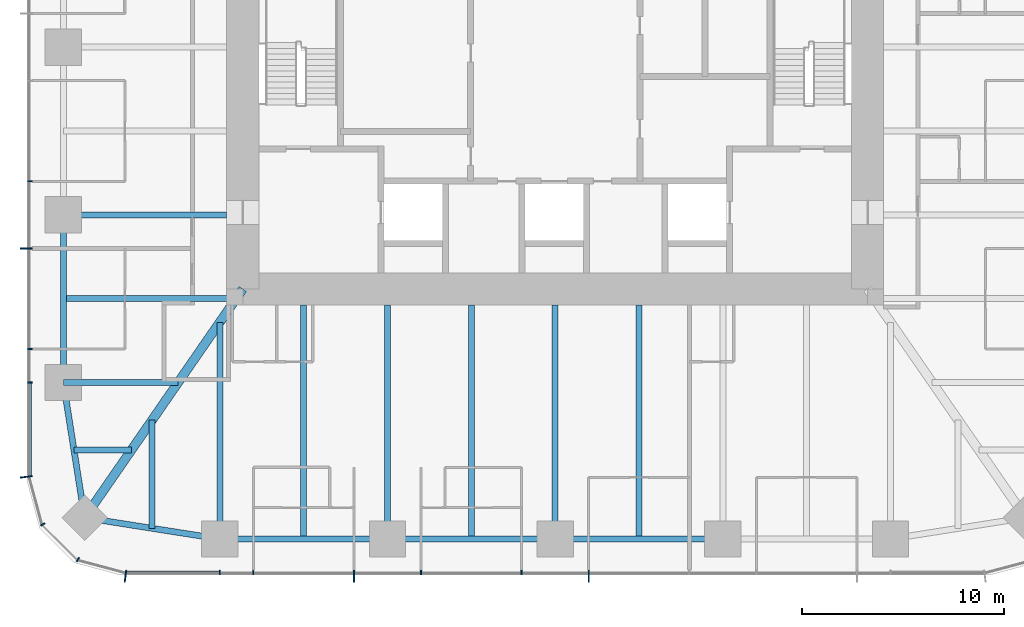
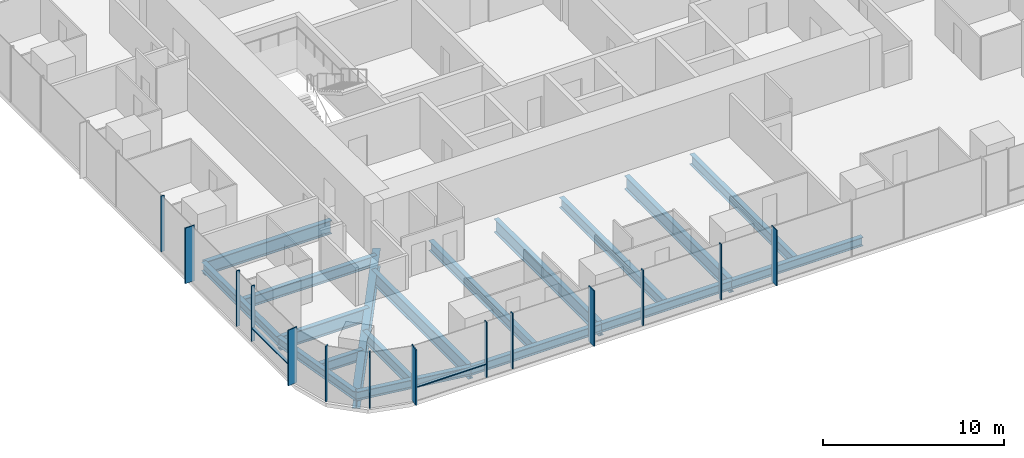
# One storey, part 2 of 12: 18 beams, 16 members, 3 elements without a shape of their own.
"""IFC4 building model written with IfcOpenShell, lengths in metres."""

from ifc_helpers import new_model, si_unit, direction, frame, origin, origin_2d, place, context, subcontext, project, spatial, rectangle, i_section, extrude, material, material_profile, profile_set, type_object, element, aggregate, save


model = new_model("IFC4")

# Units and contexts
model_context = context("Model", 3, precision=1e-05, world=origin(), true_north=direction((0.0, 1.0)))
body_context = subcontext(model_context, "Body", "Model", "MODEL_VIEW")
ifc_project = project(units=[si_unit("LENGTHUNIT", "METRE"), si_unit("AREAUNIT", "SQUARE_METRE"), si_unit("VOLUMEUNIT", "CUBIC_METRE"), si_unit("PLANEANGLEUNIT", "RADIAN"), si_unit("MASSUNIT", "GRAM", prefix="KILO")], contexts=[model_context])

# Site, building, storey
site_placement = place(None, origin())
site = spatial("IfcSite", under=ifc_project, at=site_placement, CompositionType="ELEMENT")
building_placement = place(site_placement, origin())
building = spatial("IfcBuilding", under=site, at=building_placement, Name="Khuree Lantern Residences", CompositionType="ELEMENT")
storey_placement = place(building_placement, frame((0.0, 0.0, 229.5)))
storey = spatial("IfcBuildingStorey", under=building, at=storey_placement, Name="L57", CompositionType="ELEMENT", Elevation=229.5)

# Beams
ifc_material_1 = material(Name="Steel S355", Category="steel")
ifc_material_profile_1 = material_profile(ifc_material_1, i_section(OverallWidth=0.300048828125, OverallDepth=0.68994140625, WebThickness=0.014404296875, FlangeThickness=0.027099609375, FilletRadius=0.027099609375, at=origin_2d()), Name="HE 700 A")
ifc_profile_set_1 = profile_set([ifc_material_profile_1], Name="Steel S355")
beam_type_1 = type_object("IfcBeamType", Name="B-33 SECONDARY BEAM HE 700 A", PredefinedType="BEAM", material=ifc_profile_set_1)
for number, where, z_axis, x_axis, name in (
    (1, (4.159912109375, -24.39990234375, -0.594970703125), (0.0, 1.0, 0.0), (-1.0, 0.0, 0.0), "Secondary beam S3"),
    (2, (-4.159912109375, -24.39990234375, -0.594970703125), (0.0, 1.0, 0.0), (-1.0, 0.0, 0.0), "Secondary beam S4"),
    (3, (-12.47998046875, -24.39990234375, -0.594970703125), (0.0, 1.0, 0.0), (-1.0, 0.0, 0.0), "Secondary beam S5"),
):
    element("IfcBeam", number, at=place(storey_placement, frame(where, z_axis=z_axis, x_axis=x_axis)), inside=storey, type_object=beam_type_1, Name=name, PredefinedType="BEAM", context=body_context, shape_type="SweptSolid", body=[
        extrude(i_section(OverallWidth=0.300048828125, OverallDepth=0.68994140625, WebThickness=0.014404296875, FlangeThickness=0.027099609375, FilletRadius=0.027099609375, at=origin_2d()), origin(), (0.0, 0.0, 1.0), 11.599853515625),
    ])
beam_1_placement = place(storey_placement, frame((-19.992919921875, -23.872802734375, -0.594970703125), z_axis=(0.0, 1.0, 0.0), x_axis=(-1.0, 0.0, 0.0)))
element("IfcBeam", 4, at=beam_1_placement, inside=storey, type_object=beam_type_1, Name="Secondary beam S6", PredefinedType="BEAM", context=body_context, shape_type="SweptSolid", body=[
    extrude(i_section(OverallWidth=0.300048828125, OverallDepth=0.68994140625, WebThickness=0.014404296875, FlangeThickness=0.027099609375, FilletRadius=0.027099609375, at=origin_2d()), origin(), (0.0, 0.0, 1.0), 5.375732421875),
])
beam_2_placement = place(storey_placement, frame((-23.872802734375, -19.992919921875, -0.594970703125), z_axis=(1.0, 0.0, 0.0), x_axis=(0.0, 1.0, 0.0)))
element("IfcBeam", 5, at=beam_2_placement, inside=storey, type_object=beam_type_1, Name="Secondary beam W1", PredefinedType="BEAM", context=body_context, shape_type="SweptSolid", body=[
    extrude(i_section(OverallWidth=0.300048828125, OverallDepth=0.68994140625, WebThickness=0.014404296875, FlangeThickness=0.027099609375, FilletRadius=0.027099609375, at=origin_2d()), origin(), (0.0, 0.0, 1.0), 2.845703125),
])
beam_3_placement = place(storey_placement, frame((-24.39990234375, -12.47998046875, -0.594970703125), z_axis=(1.0, 0.0, 0.0), x_axis=(0.0, 1.0, 0.0)))
element("IfcBeam", 6, at=beam_3_placement, inside=storey, type_object=beam_type_1, Name="Secondary beam W2", PredefinedType="BEAM", context=body_context, shape_type="SweptSolid", body=[
    extrude(i_section(OverallWidth=0.300048828125, OverallDepth=0.68994140625, WebThickness=0.014404296875, FlangeThickness=0.027099609375, FilletRadius=0.027099609375, at=origin_2d()), origin(), (0.0, 0.0, 1.0), 8.56787109375),
])
ifc_material_profile_2 = material_profile(ifc_material_1, i_section(OverallWidth=0.300048828125, OverallDepth=0.590087890625, WebThickness=0.012939453125, FlangeThickness=0.02490234375, FilletRadius=0.027099609375, at=origin_2d()), Name="HE 600 A")
ifc_profile_set_2 = profile_set([ifc_material_profile_2], Name="Steel S355")
beam_type_2 = type_object("IfcBeamType", Name="E-33 SPANDREL BEAM HE 600 A", PredefinedType="SPANDREL", material=ifc_profile_set_2)
for number, where, z_axis, x_axis, name in (
    (7, (8.320068359375, -24.39990234375, -0.544921875), (-1.0, 0.0, 0.0), (0.0, -1.0, 0.0), "Spandrel beam S3"),
    (8, (0.0, -24.39990234375, -0.544921875), (-1.0, 0.0, 0.0), (0.0, -1.0, 0.0), "Spandrel beam S4"),
):
    element("IfcBeam", number, at=place(storey_placement, frame(where, z_axis=z_axis, x_axis=x_axis)), inside=storey, type_object=beam_type_2, Name=name, PredefinedType="SPANDREL", context=body_context, shape_type="SweptSolid", body=[
        extrude(i_section(OverallWidth=0.300048828125, OverallDepth=0.590087890625, WebThickness=0.012939453125, FlangeThickness=0.02490234375, FilletRadius=0.027099609375, at=origin_2d()), origin(), (0.0, 0.0, 1.0), 8.320068359375),
    ])
beam_4_placement = place(storey_placement, frame((-8.320068359375, -24.39990234375, -0.544921875), z_axis=(-1.0, 0.0, 0.0), x_axis=(0.0, -1.0, 0.0)))
element("IfcBeam", 9, at=beam_4_placement, inside=storey, type_object=beam_type_2, Name="Spandrel beam S5", PredefinedType="SPANDREL", context=body_context, shape_type="SweptSolid", body=[
    extrude(i_section(OverallWidth=0.300048828125, OverallDepth=0.590087890625, WebThickness=0.012939453125, FlangeThickness=0.02490234375, FilletRadius=0.027099609375, at=origin_2d()), origin(), (0.0, 0.0, 1.0), 8.31982421875),
])
for number, where, z_axis, x_axis, name in (
    (10, (-16.639892578125, -24.39990234375, -0.544921875), (-0.98786743189, 0.155299507442, 0.0), (-0.155299507442, -0.98786743189, 0.0), "Spandrel beam S6"),
    (11, (-23.345703125, -23.345703125, -0.544921875), (-0.155299507442, 0.98786743189, 0.0), (-0.98786743189, -0.155299507442, 0.0), "Spandrel beam W1"),
):
    element("IfcBeam", number, at=place(storey_placement, frame(where, z_axis=z_axis, x_axis=x_axis)), inside=storey, type_object=beam_type_2, Name=name, PredefinedType="SPANDREL", context=body_context, shape_type="SweptSolid", body=[
        extrude(i_section(OverallWidth=0.300048828125, OverallDepth=0.590087890625, WebThickness=0.012939453125, FlangeThickness=0.02490234375, FilletRadius=0.027099609375, at=origin_2d()), origin(), (0.0, 0.0, 1.0), 6.7880859375),
    ])
beam_5_placement = place(storey_placement, frame((-24.39990234375, -16.639892578125, -0.544921875), z_axis=(0.0, 1.0, 0.0), x_axis=(-1.0, 0.0, 0.0)))
element("IfcBeam", 12, at=beam_5_placement, inside=storey, type_object=beam_type_2, Name="Spandrel beam W2", PredefinedType="SPANDREL", context=body_context, shape_type="SweptSolid", body=[
    extrude(i_section(OverallWidth=0.300048828125, OverallDepth=0.590087890625, WebThickness=0.012939453125, FlangeThickness=0.02490234375, FilletRadius=0.027099609375, at=origin_2d()), origin(), (0.0, 0.0, 1.0), 8.31982421875),
])

# Curtain wall, member
ifc_material_2 = material(Name="Bronze anodised aluminium", Category="aluminium")
curtain_wall_type_1 = type_object("IfcCurtainWallType", Name="CW-T1 TOWER FACE CURTAIN WALL", PredefinedType="USERDEFINED", material=ifc_material_2)
curtain_wall_1_placement = place(storey_placement, origin())
curtain_wall_1 = element("IfcCurtainWall", 13, at=curtain_wall_1_placement, inside=storey, type_object=curtain_wall_type_1, Name="L57 WEST FACE CURTAIN WALL", ObjectType="Stick-built curtain wall", PredefinedType="USERDEFINED")
ifc_material_profile_3 = material_profile(ifc_material_2, rectangle(XDim=0.06494140625, YDim=0.60009765625, at=origin_2d()), Name="F1 65X600")
ifc_profile_set_3 = profile_set([ifc_material_profile_3], Name="Bronze anodised aluminium")
member_type_1 = type_object("IfcMemberType", Name="F1 BRONZE FIN MULLION TOWER 65X600", PredefinedType="MULLION", material=ifc_profile_set_3)
member_1_placement = place(storey_placement, frame((-26.25, -9.98388671875, 0.0), z_axis=(0.0, 0.0, 1.0), x_axis=(0.0, -1.0, 0.0)))
member_1 = element("IfcMember", 14, at=member_1_placement, type_object=member_type_1, Name="L57 WEST FACE FIN MULLION 40", PredefinedType="MULLION", context=body_context, shape_type="SweptSolid", body=[
    extrude(rectangle(XDim=0.06494140625, YDim=0.60009765625, at=origin_2d()), origin(), (0.0, 0.0, 1.0), 3.75),
])

curtain_wall_type_2 = type_object("IfcCurtainWallType", Name="CW-T2 TOWER CORNER CURTAIN WALL", PredefinedType="USERDEFINED", material=ifc_material_2)
curtain_wall_2_placement = place(storey_placement, origin())
curtain_wall_2 = element("IfcCurtainWall", 15, at=curtain_wall_2_placement, inside=storey, type_object=curtain_wall_type_2, Name="L57 SOUTH-WEST CORNER CURTAIN WALL", ObjectType="Faceted corner curtain wall", PredefinedType="USERDEFINED")
member_2_placement = place(storey_placement, frame((-26.25, -21.31982421875, 0.0), z_axis=(0.0, 0.0, 1.0), x_axis=(0.130526180298, -0.991444862943, 0.0)))
member_2 = element("IfcMember", 16, at=member_2_placement, type_object=member_type_1, Name="L57 SOUTH-WEST CORNER FIN MULLION 43", PredefinedType="MULLION", context=body_context, shape_type="SweptSolid", body=[
    extrude(rectangle(XDim=0.06494140625, YDim=0.60009765625, at=origin_2d()), origin(), (0.0, 0.0, 1.0), 3.75),
])

# Curtain wall, members
curtain_wall_3_placement = place(storey_placement, origin())
curtain_wall_3 = element("IfcCurtainWall", 17, at=curtain_wall_3_placement, inside=storey, type_object=curtain_wall_type_1, Name="L57 SOUTH FACE CURTAIN WALL", ObjectType="Stick-built curtain wall", PredefinedType="USERDEFINED")
member_3_placement = place(storey_placement, frame((-21.31982421875, -26.25, 0.0), z_axis=(0.0, 0.0, 1.0), x_axis=(0.991444862943, -0.130526180298, 0.0)))
member_3 = element("IfcMember", 18, at=member_3_placement, type_object=member_type_1, Name="L57 SOUTH FACE FIN MULLION 46", PredefinedType="MULLION", context=body_context, shape_type="SweptSolid", body=[
    extrude(rectangle(XDim=0.06494140625, YDim=0.60009765625, at=origin_2d()), origin(), (0.0, 0.0, 1.0), 3.75),
])
member_4_placement = place(storey_placement, frame((-9.98388671875, -26.25, 0.0), z_axis=(0.0, 0.0, 1.0), x_axis=(1.0, 0.0, 0.0)))
member_4 = element("IfcMember", 19, at=member_4_placement, type_object=member_type_1, Name="L57 SOUTH FACE FIN MULLION 49", PredefinedType="MULLION", context=body_context, shape_type="SweptSolid", body=[
    extrude(rectangle(XDim=0.06494140625, YDim=0.60009765625, at=origin_2d()), origin(), (0.0, 0.0, 1.0), 3.75),
])
member_5_placement = place(storey_placement, frame((1.6640625, -26.25, 0.0), z_axis=(0.0, 0.0, 1.0), x_axis=(1.0, 0.0, 0.0)))
member_5 = element("IfcMember", 20, at=member_5_placement, type_object=member_type_1, Name="L57 SOUTH FACE FIN MULLION 52", PredefinedType="MULLION", context=body_context, shape_type="SweptSolid", body=[
    extrude(rectangle(XDim=0.06494140625, YDim=0.60009765625, at=origin_2d()), origin(), (0.0, 0.0, 1.0), 3.75),
])

# Beams
ifc_material_profile_4 = material_profile(ifc_material_1, i_section(OverallWidth=0.300048828125, OverallDepth=0.89990234375, WebThickness=0.0185546875, FlangeThickness=0.034912109375, FilletRadius=0.030029296875, at=origin_2d()), Name="HE 900 B")
ifc_profile_set_4 = profile_set([ifc_material_profile_4], Name="Steel S355")
beam_type_3 = type_object("IfcBeamType", Name="G-33 GIRDER HE 900 B", PredefinedType="BEAM", material=ifc_profile_set_4)
for number, where, z_axis, x_axis, name in (
    (21, (0.0, -24.39990234375, -0.699951171875), (0.0, 1.0, 0.0), (-1.0, 0.0, 0.0), "Girder S3"),
    (22, (-8.320068359375, -24.39990234375, -0.699951171875), (0.0, 1.0, 0.0), (-1.0, 0.0, 0.0), "Girder S4"),
):
    element("IfcBeam", number, at=place(storey_placement, frame(where, z_axis=z_axis, x_axis=x_axis)), inside=storey, type_object=beam_type_3, Name=name, PredefinedType="BEAM", context=body_context, shape_type="SweptSolid", body=[
        extrude(i_section(OverallWidth=0.300048828125, OverallDepth=0.89990234375, WebThickness=0.0185546875, FlangeThickness=0.034912109375, FilletRadius=0.030029296875, at=origin_2d()), origin(), (0.0, 0.0, 1.0), 11.599853515625),
    ])
beam_6_placement = place(storey_placement, frame((-16.639892578125, -24.39990234375, -0.699951171875), z_axis=(0.0, 1.0, 0.0), x_axis=(-1.0, 0.0, 0.0)))
element("IfcBeam", 23, at=beam_6_placement, inside=storey, type_object=beam_type_3, Name="Girder S5", PredefinedType="BEAM", context=body_context, shape_type="SweptSolid", body=[
    extrude(i_section(OverallWidth=0.300048828125, OverallDepth=0.89990234375, WebThickness=0.0185546875, FlangeThickness=0.034912109375, FilletRadius=0.030029296875, at=origin_2d()), origin(), (0.0, 0.0, 1.0), 10.751220703125),
])
beam_7_placement = place(storey_placement, frame((-24.39990234375, -16.639892578125, -0.699951171875), z_axis=(1.0, 0.0, 0.0), x_axis=(0.0, 1.0, 0.0)))
element("IfcBeam", 24, at=beam_7_placement, inside=storey, type_object=beam_type_3, Name="Girder W1", PredefinedType="BEAM", context=body_context, shape_type="SweptSolid", body=[
    extrude(i_section(OverallWidth=0.300048828125, OverallDepth=0.89990234375, WebThickness=0.0185546875, FlangeThickness=0.034912109375, FilletRadius=0.030029296875, at=origin_2d()), origin(), (0.0, 0.0, 1.0), 5.69140625),
])
beam_8_placement = place(storey_placement, frame((-24.39990234375, -8.320068359375, -0.699951171875), z_axis=(1.0, 0.0, 0.0), x_axis=(0.0, 1.0, 0.0)))
element("IfcBeam", 25, at=beam_8_placement, inside=storey, type_object=beam_type_3, Name="Girder W2", PredefinedType="BEAM", context=body_context, shape_type="SweptSolid", body=[
    extrude(i_section(OverallWidth=0.300048828125, OverallDepth=0.89990234375, WebThickness=0.0185546875, FlangeThickness=0.034912109375, FilletRadius=0.030029296875, at=origin_2d()), origin(), (0.0, 0.0, 1.0), 8.099853515625),
])
ifc_material_profile_5 = material_profile(ifc_material_1, i_section(OverallWidth=0.449951171875, OverallDepth=1.199951171875, WebThickness=0.02490234375, FlangeThickness=0.044921875, at=origin_2d()), Name="WELDED I 1200X450X25X45")
ifc_profile_set_5 = profile_set([ifc_material_profile_5], Name="Steel S355")
beam_type_4 = type_object("IfcBeamType", Name="GD-33 CORNER GIRDER WELDED I 1200X450X25X45", PredefinedType="BEAM", material=ifc_profile_set_5)
beam_9_placement = place(storey_placement, frame((-23.345703125, -23.345703125, -0.85009765625), z_axis=(0.56876813501, 0.822497907959, 0.0), x_axis=(-0.822497907959, 0.56876813501, 0.0)))
element("IfcBeam", 26, at=beam_9_placement, inside=storey, type_object=beam_type_4, Name="Corner girder SW", PredefinedType="BEAM", context=body_context, shape_type="SweptSolid", body=[
    extrude(i_section(OverallWidth=0.449951171875, OverallDepth=1.199951171875, WebThickness=0.02490234375, FlangeThickness=0.044921875, at=origin_2d()), origin(), (0.0, 0.0, 1.0), 13.794189453125),
])

# Member
ifc_material_profile_6 = material_profile(ifc_material_2, rectangle(XDim=0.06494140625, YDim=0.219970703125, at=origin_2d()), Name="M1 65X220")
ifc_profile_set_6 = profile_set([ifc_material_profile_6], Name="Bronze anodised aluminium")
member_type_2 = type_object("IfcMemberType", Name="M1 BRONZE MULLION TOWER 65X220", PredefinedType="MULLION", material=ifc_profile_set_6)
member_6_placement = place(storey_placement, frame((-26.06005859375, -6.656005859375, 0.0), z_axis=(0.0, 0.0, 1.0), x_axis=(0.0, -1.0, 0.0)))
member_6 = element("IfcMember", 27, at=member_6_placement, type_object=member_type_2, Name="L57 WEST FACE MULLION 39", PredefinedType="MULLION", context=body_context, shape_type="SweptSolid", body=[
    extrude(rectangle(XDim=0.06494140625, YDim=0.219970703125, at=origin_2d()), origin(), (0.0, 0.0, 1.0), 3.75),
])

member_7_placement = place(storey_placement, frame((-26.06005859375, -14.97607421875, 0.0), z_axis=(0.0, 0.0, 1.0), x_axis=(0.0, -1.0, 0.0)))
member_7 = element("IfcMember", 28, at=member_7_placement, type_object=member_type_2, Name="L57 WEST FACE MULLION 41", PredefinedType="MULLION", context=body_context, shape_type="SweptSolid", body=[
    extrude(rectangle(XDim=0.06494140625, YDim=0.219970703125, at=origin_2d()), origin(), (0.0, 0.0, 1.0), 3.75),
])

member_8_placement = place(storey_placement, frame((-26.06005859375, -16.639892578125, 0.0), z_axis=(0.0, 0.0, 1.0), x_axis=(0.0, -1.0, 0.0)))
member_8 = element("IfcMember", 29, at=member_8_placement, type_object=member_type_2, Name="L57 WEST FACE MULLION 42", PredefinedType="MULLION", context=body_context, shape_type="SweptSolid", body=[
    extrude(rectangle(XDim=0.06494140625, YDim=0.219970703125, at=origin_2d()), origin(), (0.0, 0.0, 1.0), 3.75),
])

member_9_placement = place(storey_placement, frame((-25.42236328125, -23.679931640625, 0.0), z_axis=(0.0, 0.0, 1.0), x_axis=(0.499999989586, -0.866025409797, 0.0)))
member_9 = element("IfcMember", 30, at=member_9_placement, type_object=member_type_2, Name="L57 SOUTH-WEST CORNER MULLION 44", PredefinedType="MULLION", context=body_context, shape_type="SweptSolid", body=[
    extrude(rectangle(XDim=0.06494140625, YDim=0.219970703125, at=origin_2d()), origin(), (0.0, 0.0, 1.0), 3.75),
])

member_10_placement = place(storey_placement, frame((-23.679931640625, -25.42236328125, 0.0), z_axis=(0.0, 0.0, 1.0), x_axis=(0.866025409797, -0.499999989586, 0.0)))
member_10 = element("IfcMember", 31, at=member_10_placement, type_object=member_type_2, Name="L57 SOUTH-WEST CORNER MULLION 45", PredefinedType="MULLION", context=body_context, shape_type="SweptSolid", body=[
    extrude(rectangle(XDim=0.06494140625, YDim=0.219970703125, at=origin_2d()), origin(), (0.0, 0.0, 1.0), 3.75),
])

aggregate(curtain_wall_2, [member_2, member_9, member_10])

member_11_placement = place(storey_placement, frame((-16.639892578125, -26.06005859375, 0.0), z_axis=(0.0, 0.0, 1.0), x_axis=(1.0, 0.0, 0.0)))
member_11 = element("IfcMember", 32, at=member_11_placement, type_object=member_type_2, Name="L57 SOUTH FACE MULLION 47", PredefinedType="MULLION", context=body_context, shape_type="SweptSolid", body=[
    extrude(rectangle(XDim=0.06494140625, YDim=0.219970703125, at=origin_2d()), origin(), (0.0, 0.0, 1.0), 3.75),
])

member_12_placement = place(storey_placement, frame((-14.97607421875, -26.06005859375, 0.0), z_axis=(0.0, 0.0, 1.0), x_axis=(1.0, 0.0, 0.0)))
member_12 = element("IfcMember", 33, at=member_12_placement, type_object=member_type_2, Name="L57 SOUTH FACE MULLION 48", PredefinedType="MULLION", context=body_context, shape_type="SweptSolid", body=[
    extrude(rectangle(XDim=0.06494140625, YDim=0.219970703125, at=origin_2d()), origin(), (0.0, 0.0, 1.0), 3.75),
])

member_13_placement = place(storey_placement, frame((-6.656005859375, -26.06005859375, 0.0), z_axis=(0.0, 0.0, 1.0), x_axis=(1.0, 0.0, 0.0)))
member_13 = element("IfcMember", 34, at=member_13_placement, type_object=member_type_2, Name="L57 SOUTH FACE MULLION 50", PredefinedType="MULLION", context=body_context, shape_type="SweptSolid", body=[
    extrude(rectangle(XDim=0.06494140625, YDim=0.219970703125, at=origin_2d()), origin(), (0.0, 0.0, 1.0), 3.75),
])

member_14_placement = place(storey_placement, frame((-1.6640625, -26.06005859375, 0.0), z_axis=(0.0, 0.0, 1.0), x_axis=(1.0, 0.0, 0.0)))
member_14 = element("IfcMember", 35, at=member_14_placement, type_object=member_type_2, Name="L57 SOUTH FACE MULLION 51", PredefinedType="MULLION", context=body_context, shape_type="SweptSolid", body=[
    extrude(rectangle(XDim=0.06494140625, YDim=0.219970703125, at=origin_2d()), origin(), (0.0, 0.0, 1.0), 3.75),
])

ifc_material_profile_7 = material_profile(ifc_material_2, rectangle(XDim=0.179931640625, YDim=0.06494140625, at=origin_2d()), Name="T1 180X65")
ifc_profile_set_7 = profile_set([ifc_material_profile_7], Name="Bronze anodised aluminium")
member_type_3 = type_object("IfcMemberType", Name="TRANSOM T1 TOWER 180X65", PredefinedType="USERDEFINED", material=ifc_profile_set_7)
member_15_placement = place(storey_placement, frame((-26.070068359375, -16.672607421875, 0.89990234375), z_axis=(0.0, -1.0, 0.0), x_axis=(1.0, 0.0, 0.0)))
member_15 = element("IfcMember", 36, at=member_15_placement, type_object=member_type_3, Name="L57 WEST FACE TRANSOM 42.1", ObjectType="Transom", PredefinedType="USERDEFINED", context=body_context, shape_type="SweptSolid", body=[
    extrude(rectangle(XDim=0.179931640625, YDim=0.06494140625, at=origin_2d()), origin(), (0.0, 0.0, 1.0), 4.578857421875),
])

aggregate(curtain_wall_1, [member_6, member_1, member_7, member_8, member_15])

member_16_placement = place(storey_placement, frame((-21.25146484375, -26.070068359375, 0.89990234375), z_axis=(1.0, 0.0, 0.0), x_axis=(0.0, 1.0, 0.0)))
member_16 = element("IfcMember", 37, at=member_16_placement, type_object=member_type_3, Name="L57 SOUTH FACE TRANSOM 46.1", ObjectType="Transom", PredefinedType="USERDEFINED", context=body_context, shape_type="SweptSolid", body=[
    extrude(rectangle(XDim=0.179931640625, YDim=0.06494140625, at=origin_2d()), origin(), (0.0, 0.0, 1.0), 4.578857421875),
])

aggregate(curtain_wall_3, [member_3, member_11, member_12, member_4, member_13, member_14, member_5, member_16])

save(model, "model.ifc")
